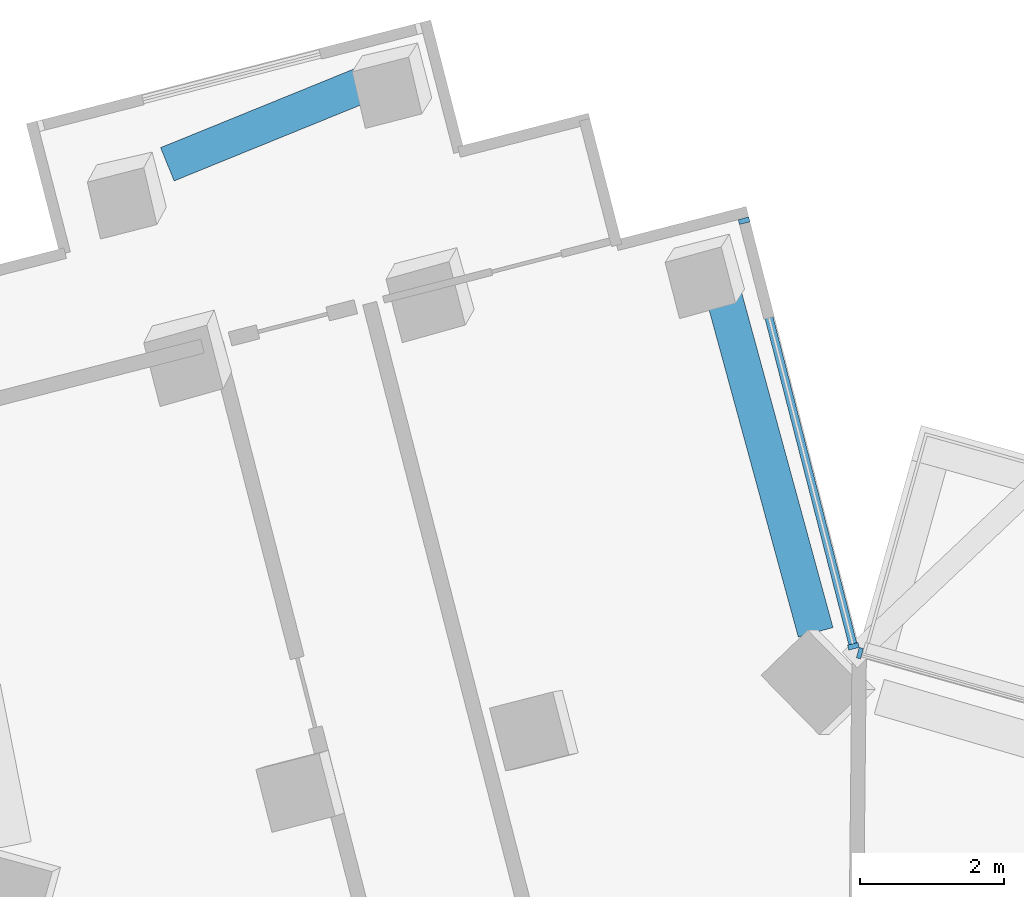
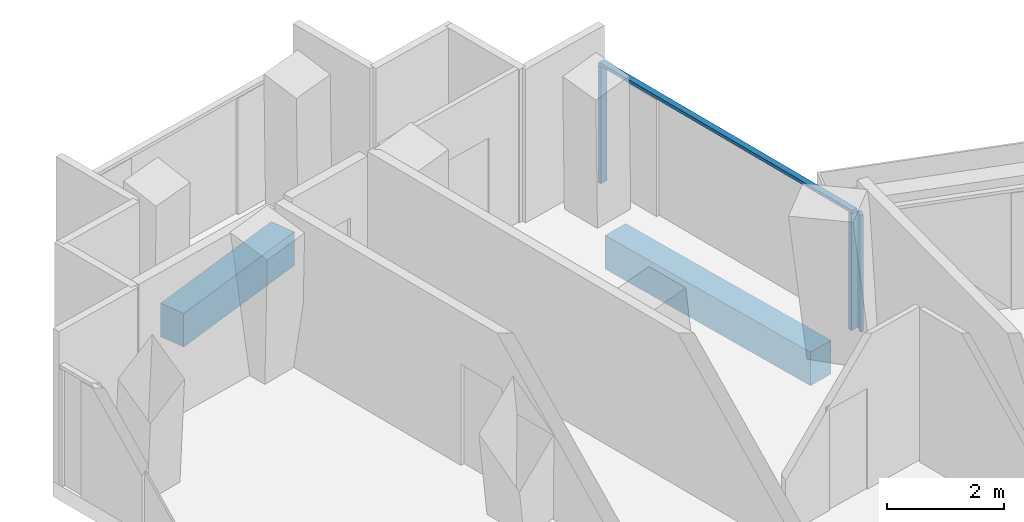
# One storey, part 8 of 26: 4 members, 2 beams, 2 elements without a shape of their own.
"""IFC4 building model written with IfcOpenShell, lengths in metres."""

from ifc_helpers import new_model, si_unit, direction, frame, origin, origin_2d, place, context, subcontext, project, spatial, rectangle, extrude, material, layer, layer_set, material_profile, profile_set, type_object, element, aggregate, save


model = new_model("IFC4")

# Units and contexts
model_context = context("Model", 3, precision=1e-05, world=origin(), true_north=direction((0.0, 1.0)))
body_context = subcontext(model_context, "Body", "Model", "MODEL_VIEW")
ifc_project = project(units=[si_unit("LENGTHUNIT", "METRE"), si_unit("AREAUNIT", "SQUARE_METRE"), si_unit("VOLUMEUNIT", "CUBIC_METRE"), si_unit("PLANEANGLEUNIT", "RADIAN"), si_unit("MASSUNIT", "GRAM", prefix="KILO")], contexts=[model_context])

# Site, building, storey
site_placement = place(None, origin())
site = spatial("IfcSite", under=ifc_project, at=site_placement, CompositionType="ELEMENT")
building_placement = place(site_placement, origin())
building = spatial("IfcBuilding", under=site, at=building_placement, Name="Verdalira Terraces Hotel", CompositionType="ELEMENT")
storey_placement = place(building_placement, frame((0.0, 0.0, 93.0)))
storey = spatial("IfcBuildingStorey", under=building, at=storey_placement, Name="L21", CompositionType="ELEMENT", Elevation=93.0)

# Curtain wall, member
ifc_material_1 = material(Name="Clear glass", Category="glass")
ifc_layer_1 = layer(ifc_material_1, 0.14990234375)
ifc_layer_set_1 = layer_set([ifc_layer_1], Name="CW1 curtain wall")
curtain_wall_type_1 = type_object("IfcCurtainWallType", Name="CW1 curtain wall", PredefinedType="NOTDEFINED", material=ifc_layer_set_1)
curtain_wall_1_placement = place(storey_placement, origin())
curtain_wall_1 = element("IfcCurtainWall", 1, at=curtain_wall_1_placement, inside=storey, type_object=curtain_wall_type_1, Name="CW1 curtain wall L21 edge 41", PredefinedType="NOTDEFINED")
ifc_material_2 = material(Name="Terracotta frame", Category="masonry")
ifc_material_profile_1 = material_profile(ifc_material_2, rectangle(XDim=0.060059, YDim=0.149902, at=origin_2d()), Name="MU 60x150")
ifc_profile_set_1 = profile_set([ifc_material_profile_1], Name="Terracotta frame")
member_type_1 = type_object("IfcMemberType", Name="CW1 mullion 60x150", PredefinedType="MULLION", material=ifc_profile_set_1)
member_1_placement = place(storey_placement, frame((0.271729, 25.032471, 0.0), z_axis=(0.0, 0.0, 1.0), x_axis=(-0.963162567, 0.268919821, 0.0)))
member_1 = element("IfcMember", 2, at=member_1_placement, type_object=member_type_1, Name="CW1 mullion", PredefinedType="MULLION", context=body_context, shape_type="SweptSolid", body=[
    extrude(rectangle(XDim=0.060059, YDim=0.149902, at=origin_2d()), origin(), (0.0, 0.0, 1.0), 2.425049),
])
aggregate(curtain_wall_1, [member_1])

# Curtain wall, members
ifc_material_3 = material(Name="Clear glass", Category="glass")
ifc_layer_2 = layer(ifc_material_3, 0.14990234375)
ifc_layer_set_2 = layer_set([ifc_layer_2], Name="CW2 curtain wall")
curtain_wall_type_2 = type_object("IfcCurtainWallType", Name="CW2 curtain wall", PredefinedType="NOTDEFINED", material=ifc_layer_set_2)
curtain_wall_2_placement = place(storey_placement, origin())
curtain_wall_2 = element("IfcCurtainWall", 3, at=curtain_wall_2_placement, inside=storey, type_object=curtain_wall_type_2, Name="CW2 curtain wall L21 edge 0", PredefinedType="NOTDEFINED")
ifc_material_4 = material(Name="Terracotta frame", Category="masonry")
ifc_material_profile_2 = material_profile(ifc_material_4, rectangle(XDim=0.070068, YDim=0.149902, at=origin_2d()), Name="MU 70x150")
ifc_profile_set_2 = profile_set([ifc_material_profile_2], Name="Terracotta frame")
member_type_2 = type_object("IfcMemberType", Name="CW2 mullion 70x150", PredefinedType="MULLION", material=ifc_profile_set_2)
member_2_placement = place(storey_placement, frame((0.181641, 25.12793, 0.0), z_axis=(0.0, 0.0, 1.0), x_axis=(-0.248689887, 0.968583161, 0.0)))
member_2 = element("IfcMember", 4, at=member_2_placement, type_object=member_type_2, Name="CW2 mullion", PredefinedType="MULLION", context=body_context, shape_type="SweptSolid", body=[
    extrude(rectangle(XDim=0.070068, YDim=0.149902, at=origin_2d()), origin(), (0.0, 0.0, 1.0), 2.425049),
])
member_3_placement = place(storey_placement, frame((-1.336426, 31.040283, 0.0), z_axis=(0.0, 0.0, 1.0), x_axis=(-0.248689887, 0.968583161, 0.0)))
member_3 = element("IfcMember", 5, at=member_3_placement, type_object=member_type_2, Name="CW2 mullion", PredefinedType="MULLION", context=body_context, shape_type="SweptSolid", body=[
    extrude(rectangle(XDim=0.070068, YDim=0.149902, at=origin_2d()), origin(), (0.0, 0.0, 1.0), 2.425049),
])
ifc_material_5 = material(Name="Terracotta frame", Category="masonry")
ifc_material_profile_3 = material_profile(ifc_material_5, rectangle(XDim=0.11499, YDim=0.064941, at=origin_2d()), Name="TR 65x115")
ifc_profile_set_3 = profile_set([ifc_material_profile_3], Name="Terracotta frame")
member_type_3 = type_object("IfcMemberType", Name="CW2 transom 65x115", PredefinedType="USERDEFINED", material=ifc_profile_set_3)
member_4_placement = place(storey_placement, frame((0.19043, 25.093994, 2.45752), z_axis=(-0.248690247, 0.968583069, 0.0), x_axis=(-0.968583069, -0.248690247, 0.0)))
member_4 = element("IfcMember", 6, at=member_4_placement, type_object=member_type_3, Name="CW2 transom", ObjectType="TRANSOM", PredefinedType="USERDEFINED", context=body_context, shape_type="SweptSolid", body=[
    extrude(rectangle(XDim=0.11499, YDim=0.064941, at=origin_2d()), origin(), (0.0, 0.0, 1.0), 6.173828),
])
aggregate(curtain_wall_2, [member_2, member_3, member_4])

# Beams
ifc_material_6 = material(Name="Concrete C70", Category="concrete")
ifc_material_profile_4 = material_profile(ifc_material_6, rectangle(XDim=0.5, YDim=0.699951, at=origin_2d()), Name="RC 500X700")
ifc_profile_set_4 = profile_set([ifc_material_profile_4], Name="Concrete C70")
beam_type = type_object("IfcBeamType", Name="Spandrel beam RC 500X700 C70", PredefinedType="SPANDREL", material=ifc_profile_set_4)
beam_1_placement = place(storey_placement, frame((-0.343506, 25.322021, -0.659912), z_axis=(-0.262924709, 0.964816354, 0.0), x_axis=(-0.964816354, -0.262924709, 0.0)))
element("IfcBeam", 7, at=beam_1_placement, inside=storey, type_object=beam_type, Name="Spandrel beam B01", PredefinedType="SPANDREL", context=body_context, shape_type="SweptSolid", body=[
    extrude(rectangle(XDim=0.5, YDim=0.699951, at=origin_2d()), origin(), (0.0, 0.0, 1.0), 4.931641),
])
beam_2_placement = place(storey_placement, frame((-6.501221, 32.984375, -0.659912), z_axis=(-0.926226842, -0.376966627, 0.0), x_axis=(0.376966627, -0.926226842, 0.0)))
element("IfcBeam", 8, at=beam_2_placement, inside=storey, type_object=beam_type, Name="Spandrel beam B02", PredefinedType="SPANDREL", context=body_context, shape_type="SweptSolid", body=[
    extrude(rectangle(XDim=0.5, YDim=0.699951, at=origin_2d()), origin(), (0.0, 0.0, 1.0), 3.076416),
])

save(model, "model.ifc")
